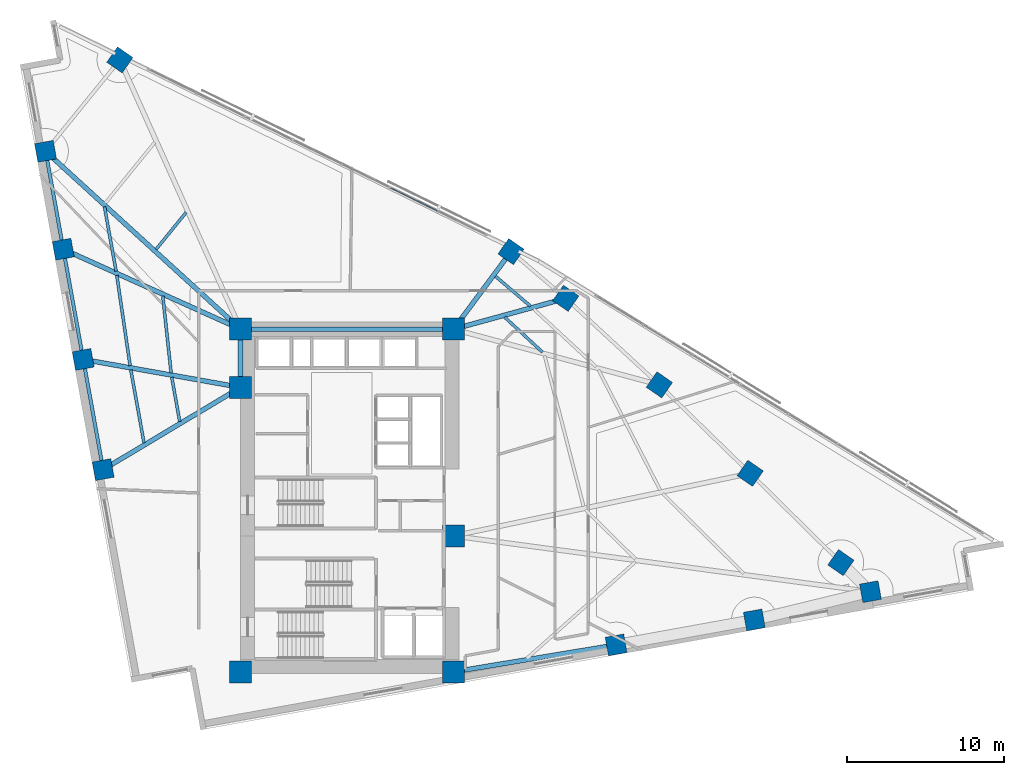
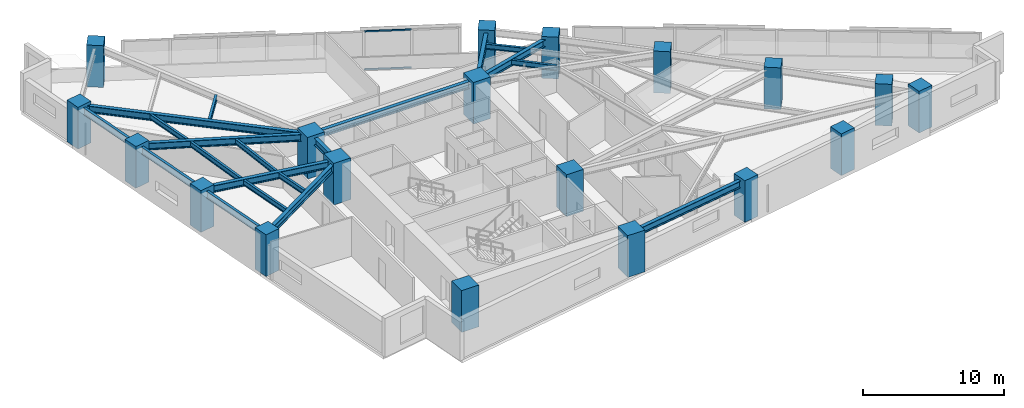
# One storey, part 1 of 19: 20 beams, 19 columns, 2 members, 1 element without a shape of its own.
"""IFC4 building model written with IfcOpenShell, lengths in metres."""

from ifc_helpers import new_model, si_unit, direction, frame, origin, origin_2d, place, context, subcontext, project, spatial, rectangle, hollow_rectangle, i_section, extrude, material, material_profile, profile_set, type_object, element, aggregate, save


model = new_model("IFC4")

# Units and contexts
model_context = context("Model", 3, precision=1e-05, world=origin(), true_north=direction((0.0, 1.0)))
body_context = subcontext(model_context, "Body", "Model", "MODEL_VIEW")
ifc_project = project(units=[si_unit("LENGTHUNIT", "METRE"), si_unit("AREAUNIT", "SQUARE_METRE"), si_unit("VOLUMEUNIT", "CUBIC_METRE"), si_unit("PLANEANGLEUNIT", "RADIAN"), si_unit("MASSUNIT", "GRAM", prefix="KILO")], contexts=[model_context])

# Site, building, storey
site_placement = place(None, origin())
site = spatial("IfcSite", under=ifc_project, at=site_placement, CompositionType="ELEMENT")
building_placement = place(site_placement, origin())
building = spatial("IfcBuilding", under=site, at=building_placement, Name="Narakoshi Arena Tower", CompositionType="ELEMENT")
storey_placement = place(building_placement, frame((0.0, 0.0, 117.300048828125)))
storey = spatial("IfcBuildingStorey", under=building, at=storey_placement, Name="L31", CompositionType="ELEMENT", Elevation=117.300048828125)

# Columns
ifc_material_1 = material(Name="Concrete C60/75", Category="concrete")
ifc_material_profile_1 = material_profile(ifc_material_1, rectangle(XDim=1.199951171875, YDim=1.199951171875, at=origin_2d()), Name="RC1200x1200")
ifc_profile_set_1 = profile_set([ifc_material_profile_1], Name="Concrete C60/75")
column_type_1 = type_object("IfcColumnType", Name="COL-RC1200", PredefinedType="COLUMN", material=ifc_profile_set_1)
for number, where, z_axis, x_axis, name in (
    (1, (95.89013671875, 36.411865234375, 0.0), (0.0, 0.0, 1.0), (0.984040697646, 0.177943545474, 0.0), "L31 Tower Perimeter Column TC02"),
    (2, (104.681396484375, 38.00146484375, 0.0), (0.0, 0.0, 1.0), (0.984040697646, 0.177943545474, 0.0), "L31 Tower Perimeter Column TC03"),
    (3, (112.0703125, 39.7978515625, 0.0), (0.0, 0.0, 1.0), (0.984040697646, 0.177943545474, 0.0), "L31 Tower Perimeter Column TC04"),
    (4, (110.189208984375, 41.650146484375, 0.0), (0.0, 0.0, 1.0), (0.569996762596, 0.821646937942, 0.0), "L31 Tower Perimeter Column TC05"),
    (5, (104.42041015625, 47.33056640625, 0.0), (0.0, 0.0, 1.0), (0.569996762596, 0.821646937942, 0.0), "L31 Tower Perimeter Column TC06"),
    (6, (98.641357421875, 52.95849609375, 0.0), (0.0, 0.0, 1.0), (0.569996762596, 0.821646937942, 0.0), "L31 Tower Perimeter Column TC07"),
    (7, (92.68994140625, 58.462890625, 0.0), (0.0, 0.0, 1.0), (0.569996762596, 0.821646937942, 0.0), "L31 Tower Perimeter Column TC08"),
    (8, (89.206787109375, 61.437744140625, 0.0), (0.0, 0.0, 1.0), (0.569996762596, 0.821646937942, 0.0), "L31 Tower Perimeter Column TC09"),
    (9, (64.31787109375, 73.633056640625, 0.0), (0.0, 0.0, 1.0), (0.569996762596, 0.821646937942, 0.0), "L31 Tower Perimeter Column TC11"),
    (10, (59.593505859375, 67.81591796875, 0.0), (0.0, 0.0, 1.0), (-0.177943545474, 0.984040697646, 0.0), "L31 Tower Perimeter Column TC13"),
    (11, (60.72021484375, 61.585205078125, 0.0), (0.0, 0.0, 1.0), (-0.177943545474, 0.984040697646, 0.0), "L31 Tower Perimeter Column TC14"),
    (12, (61.98779296875, 54.575439453125, 0.0), (0.0, 0.0, 1.0), (-0.177943545474, 0.984040697646, 0.0), "L31 Tower Perimeter Column TC15"),
    (13, (63.25537109375, 47.56591796875, 0.0), (0.0, 0.0, 1.0), (-0.177943545474, 0.984040697646, 0.0), "L31 Tower Perimeter Column TC16"),
):
    element("IfcColumn", number, at=place(storey_placement, frame(where, z_axis=z_axis, x_axis=x_axis)), inside=storey, type_object=column_type_1, Name=name, PredefinedType="COLUMN", context=body_context, shape_type="SweptSolid", body=[
        extrude(rectangle(XDim=1.199951171875, YDim=1.199951171875, at=origin_2d()), origin(), (0.0, 0.0, 1.0), 3.599853515625),
    ])
ifc_material_profile_2 = material_profile(ifc_material_1, rectangle(XDim=1.39990234375, YDim=1.39990234375, at=origin_2d()), Name="RC1400x1400")
ifc_profile_set_2 = profile_set([ifc_material_profile_2], Name="Concrete C60/75")
column_type_2 = type_object("IfcColumnType", Name="COL-RC1400", PredefinedType="COLUMN", material=ifc_profile_set_2)
for number, where, z_axis, x_axis, name in (
    (14, (72.0, 34.699951171875, 0.0), (0.0, 0.0, 1.0), (1.0, 0.0, 0.0), "L31 Core Structural Column CC1"),
    (15, (85.550048828125, 34.699951171875, 0.0), (0.0, 0.0, 1.0), (1.0, 0.0, 0.0), "L31 Core Structural Column CC2"),
    (16, (85.550048828125, 43.35009765625, 0.0), (0.0, 0.0, 1.0), (1.0, 0.0, 0.0), "L31 Core Structural Column CC3"),
    (17, (72.0, 52.800048828125, 0.0), (0.0, 0.0, 1.0), (1.0, 0.0, 0.0), "L31 Core Structural Column CC4"),
    (18, (72.0, 56.5, 0.0), (0.0, 0.0, 1.0), (1.0, 0.0, 0.0), "L31 Core Structural Column CC5"),
    (19, (85.550048828125, 56.5, 0.0), (0.0, 0.0, 1.0), (1.0, 0.0, 0.0), "L31 Core Structural Column CC6"),
):
    element("IfcColumn", number, at=place(storey_placement, frame(where, z_axis=z_axis, x_axis=x_axis)), inside=storey, type_object=column_type_2, Name=name, PredefinedType="COLUMN", context=body_context, shape_type="SweptSolid", body=[
        extrude(rectangle(XDim=1.39990234375, YDim=1.39990234375, at=origin_2d()), origin(), (0.0, 0.0, 1.0), 3.599853515625),
    ])

# Beams
ifc_material_2 = material(Name="Structural steel S355J2", Category="steel")
ifc_material_profile_3 = material_profile(ifc_material_2, i_section(OverallWidth=0.219970703125, OverallDepth=0.60009765625, WebThickness=0.011962890625, FlangeThickness=0.01904296875, FilletRadius=0.02392578125, at=origin_2d()), Name="IPE600")
ifc_profile_set_3 = profile_set([ifc_material_profile_3], Name="Structural steel S355J2")
beam_type_1 = type_object("IfcBeamType", Name="BM-EDGE-600", PredefinedType="BEAM", material=ifc_profile_set_3)
beam_1_placement = place(storey_placement, frame((59.593505859375, 67.81591796875, 3.0400390625), z_axis=(0.177945465207, -0.9840403505, 0.0), x_axis=(0.9840403505, 0.177945465207, 0.0)))
element("IfcBeam", 20, at=beam_1_placement, inside=storey, type_object=beam_type_1, Name="L31 Perimeter Edge Girder 10", PredefinedType="BEAM", context=body_context, shape_type="SweptSolid", body=[
    extrude(i_section(OverallWidth=0.219970703125, OverallDepth=0.60009765625, WebThickness=0.011962890625, FlangeThickness=0.01904296875, FilletRadius=0.02392578125, at=origin_2d()), origin(), (0.0, 0.0, 1.0), 6.331787109375),
])
beam_2_placement = place(storey_placement, frame((60.72021484375, 61.585205078125, 3.0400390625), z_axis=(0.177944362466, -0.98404054991, 0.0), x_axis=(0.98404054991, 0.177944362466, 0.0)))
element("IfcBeam", 21, at=beam_2_placement, inside=storey, type_object=beam_type_1, Name="L31 Perimeter Edge Girder 11", PredefinedType="BEAM", context=body_context, shape_type="SweptSolid", body=[
    extrude(i_section(OverallWidth=0.219970703125, OverallDepth=0.60009765625, WebThickness=0.011962890625, FlangeThickness=0.01904296875, FilletRadius=0.02392578125, at=origin_2d()), origin(), (0.0, 0.0, 1.0), 7.12353515625),
])
beam_3_placement = place(storey_placement, frame((61.98779296875, 54.575439453125, 3.0400390625), z_axis=(0.177950363985, -0.984039464634, 0.0), x_axis=(0.984039464634, 0.177950363985, 0.0)))
element("IfcBeam", 22, at=beam_3_placement, inside=storey, type_object=beam_type_1, Name="L31 Perimeter Edge Girder 12", PredefinedType="BEAM", context=body_context, shape_type="SweptSolid", body=[
    extrude(i_section(OverallWidth=0.219970703125, OverallDepth=0.60009765625, WebThickness=0.011962890625, FlangeThickness=0.01904296875, FilletRadius=0.02392578125, at=origin_2d()), origin(), (0.0, 0.0, 1.0), 7.123291015625),
])
ifc_material_profile_4 = material_profile(ifc_material_2, i_section(OverallWidth=0.300048828125, OverallDepth=0.60009765625, WebThickness=0.015380859375, FlangeThickness=0.030029296875, FilletRadius=0.027099609375, at=origin_2d()), Name="HE600B")
ifc_profile_set_4 = profile_set([ifc_material_profile_4], Name="Structural steel S355J2")
beam_type_2 = type_object("IfcBeamType", Name="BM-PRI-600", PredefinedType="BEAM", material=ifc_profile_set_4)
beam_4_placement = place(storey_placement, frame((85.550048828125, 34.699951171875, 3.0400390625), z_axis=(0.986570261116, 0.163337441762, 0.0), x_axis=(-0.163337441762, 0.986570261116, 0.0)))
element("IfcBeam", 23, at=beam_4_placement, inside=storey, type_object=beam_type_2, Name="L31 Radial Primary Floor Girder 01", PredefinedType="BEAM", context=body_context, shape_type="SweptSolid", body=[
    extrude(i_section(OverallWidth=0.300048828125, OverallDepth=0.60009765625, WebThickness=0.015380859375, FlangeThickness=0.030029296875, FilletRadius=0.027099609375, at=origin_2d()), origin(), (0.0, 0.0, 1.0), 10.48095703125),
])
beam_5_placement = place(storey_placement, frame((85.550048828125, 56.5, 3.0400390625), z_axis=(0.964225409977, 0.265083682551, 0.0), x_axis=(-0.265083682551, 0.964225409977, 0.0)))
element("IfcBeam", 24, at=beam_5_placement, inside=storey, type_object=beam_type_2, Name="L31 Radial Primary Floor Girder 07", PredefinedType="BEAM", context=body_context, shape_type="SweptSolid", body=[
    extrude(i_section(OverallWidth=0.300048828125, OverallDepth=0.60009765625, WebThickness=0.015380859375, FlangeThickness=0.030029296875, FilletRadius=0.027099609375, at=origin_2d()), origin(), (0.0, 0.0, 1.0), 7.40478515625),
])
beam_6_placement = place(storey_placement, frame((85.550048828125, 56.5, 3.0400390625), z_axis=(0.595138224279, 0.803623353321, 0.0), x_axis=(-0.803623353321, 0.595138224279, 0.0)))
element("IfcBeam", 25, at=beam_6_placement, inside=storey, type_object=beam_type_2, Name="L31 Radial Primary Floor Girder 08", PredefinedType="BEAM", context=body_context, shape_type="SweptSolid", body=[
    extrude(i_section(OverallWidth=0.300048828125, OverallDepth=0.60009765625, WebThickness=0.015380859375, FlangeThickness=0.030029296875, FilletRadius=0.027099609375, at=origin_2d()), origin(), (0.0, 0.0, 1.0), 6.144287109375),
])
beam_7_placement = place(storey_placement, frame((72.0, 56.5, 3.0400390625), z_axis=(-0.738833839277, 0.673887644893, 0.0), x_axis=(-0.673887644893, -0.738833839277, 0.0)))
element("IfcBeam", 26, at=beam_7_placement, inside=storey, type_object=beam_type_2, Name="L31 Radial Primary Floor Girder 10", PredefinedType="BEAM", context=body_context, shape_type="SweptSolid", body=[
    extrude(i_section(OverallWidth=0.300048828125, OverallDepth=0.60009765625, WebThickness=0.015380859375, FlangeThickness=0.030029296875, FilletRadius=0.027099609375, at=origin_2d()), origin(), (0.0, 0.0, 1.0), 16.7919921875),
])
beam_8_placement = place(storey_placement, frame((72.0, 56.5, 3.0400390625), z_axis=(-0.911639961566, 0.410989757142, 0.0), x_axis=(-0.410989757142, -0.911639961566, 0.0)))
element("IfcBeam", 27, at=beam_8_placement, inside=storey, type_object=beam_type_2, Name="L31 Radial Primary Floor Girder 11", PredefinedType="BEAM", context=body_context, shape_type="SweptSolid", body=[
    extrude(i_section(OverallWidth=0.300048828125, OverallDepth=0.60009765625, WebThickness=0.015380859375, FlangeThickness=0.030029296875, FilletRadius=0.027099609375, at=origin_2d()), origin(), (0.0, 0.0, 1.0), 12.373046875),
])
beam_9_placement = place(storey_placement, frame((72.0, 52.800048828125, 3.0400390625), z_axis=(-0.984639647685, 0.174598866568, 0.0), x_axis=(-0.174598866568, -0.984639647685, 0.0)))
element("IfcBeam", 28, at=beam_9_placement, inside=storey, type_object=beam_type_2, Name="L31 Radial Primary Floor Girder 12", PredefinedType="BEAM", context=body_context, shape_type="SweptSolid", body=[
    extrude(i_section(OverallWidth=0.300048828125, OverallDepth=0.60009765625, WebThickness=0.015380859375, FlangeThickness=0.030029296875, FilletRadius=0.027099609375, at=origin_2d()), origin(), (0.0, 0.0, 1.0), 10.16845703125),
])
beam_10_placement = place(storey_placement, frame((72.0, 52.800048828125, 3.0400390625), z_axis=(-0.858039895053, -0.513583039534, 0.0), x_axis=(0.513583039534, -0.858039895053, 0.0)))
element("IfcBeam", 29, at=beam_10_placement, inside=storey, type_object=beam_type_2, Name="L31 Radial Primary Floor Girder 13", PredefinedType="BEAM", context=body_context, shape_type="SweptSolid", body=[
    extrude(i_section(OverallWidth=0.300048828125, OverallDepth=0.60009765625, WebThickness=0.015380859375, FlangeThickness=0.030029296875, FilletRadius=0.027099609375, at=origin_2d()), origin(), (0.0, 0.0, 1.0), 10.19140625),
])
beam_11_placement = place(storey_placement, frame((72.0, 52.800048828125, 3.0400390625), z_axis=(0.0, 1.0, 0.0), x_axis=(-1.0, 0.0, 0.0)))
element("IfcBeam", 30, at=beam_11_placement, inside=storey, type_object=beam_type_2, Name="L31 Core Perimeter Frame Beam CC4-CC5", PredefinedType="BEAM", context=body_context, shape_type="SweptSolid", body=[
    extrude(i_section(OverallWidth=0.300048828125, OverallDepth=0.60009765625, WebThickness=0.015380859375, FlangeThickness=0.030029296875, FilletRadius=0.027099609375, at=origin_2d()), origin(), (0.0, 0.0, 1.0), 3.699951171875),
])
beam_12_placement = place(storey_placement, frame((72.0, 56.5, 3.0400390625), z_axis=(1.0, 0.0, 0.0), x_axis=(0.0, 1.0, 0.0)))
element("IfcBeam", 31, at=beam_12_placement, inside=storey, type_object=beam_type_2, Name="L31 Core Perimeter Frame Beam CC5-CC6", PredefinedType="BEAM", context=body_context, shape_type="SweptSolid", body=[
    extrude(i_section(OverallWidth=0.300048828125, OverallDepth=0.60009765625, WebThickness=0.015380859375, FlangeThickness=0.030029296875, FilletRadius=0.027099609375, at=origin_2d()), origin(), (0.0, 0.0, 1.0), 13.550048828125),
])
ifc_material_profile_5 = material_profile(ifc_material_2, i_section(OverallWidth=0.18994140625, OverallDepth=0.449951171875, WebThickness=0.009521484375, FlangeThickness=0.0146484375, FilletRadius=0.02099609375, at=origin_2d()), Name="IPE450")
ifc_profile_set_5 = profile_set([ifc_material_profile_5], Name="Structural steel S355J2")
beam_type_3 = type_object("IfcBeamType", Name="BM-SEC-450", PredefinedType="JOIST", material=ifc_profile_set_5)
beam_13_placement = place(storey_placement, frame((91.211181640625, 55.033447265625, 3.114990234375), z_axis=(-0.734152962366, 0.678984114578, 0.0), x_axis=(-0.678984114578, -0.734152962366, 0.0)))
element("IfcBeam", 32, at=beam_13_placement, inside=storey, type_object=beam_type_3, Name="L31 Composite Secondary Floor Joist 06", PredefinedType="JOIST", context=body_context, shape_type="SweptSolid", body=[
    extrude(i_section(OverallWidth=0.18994140625, OverallDepth=0.449951171875, WebThickness=0.009521484375, FlangeThickness=0.0146484375, FilletRadius=0.02099609375, at=origin_2d()), origin(), (0.0, 0.0, 1.0), 3.296875),
])
beam_14_placement = place(storey_placement, frame((90.4453125, 57.961669921875, 3.114990234375), z_axis=(-0.760382231872, 0.649475835927, 0.0), x_axis=(-0.649475835927, -0.760382231872, 0.0)))
element("IfcBeam", 33, at=beam_14_placement, inside=storey, type_object=beam_type_3, Name="L31 Composite Secondary Floor Joist 08", PredefinedType="JOIST", context=body_context, shape_type="SweptSolid", body=[
    extrude(i_section(OverallWidth=0.18994140625, OverallDepth=0.449951171875, WebThickness=0.009521484375, FlangeThickness=0.0146484375, FilletRadius=0.02099609375, at=origin_2d()), origin(), (0.0, 0.0, 1.0), 2.9365234375),
])
beam_15_placement = place(storey_placement, frame((68.53466796875, 63.93359375, 3.114990234375), z_axis=(-0.630431693458, -0.776244729376, 0.0), x_axis=(0.776244729376, -0.630431693458, 0.0)))
element("IfcBeam", 34, at=beam_15_placement, inside=storey, type_object=beam_type_3, Name="L31 Composite Secondary Floor Joist 09", PredefinedType="JOIST", context=body_context, shape_type="SweptSolid", body=[
    extrude(i_section(OverallWidth=0.18994140625, OverallDepth=0.449951171875, WebThickness=0.009521484375, FlangeThickness=0.0146484375, FilletRadius=0.02099609375, at=origin_2d()), origin(), (0.0, 0.0, 1.0), 3.027099609375),
])
beam_16_placement = place(storey_placement, frame((63.339599609375, 64.288330078125, 3.114990234375), z_axis=(0.177899481436, -0.984048664704, 0.0), x_axis=(0.984048664704, 0.177899481436, 0.0)))
element("IfcBeam", 35, at=beam_16_placement, inside=storey, type_object=beam_type_3, Name="L31 Composite Secondary Floor Joist 11", PredefinedType="JOIST", context=body_context, shape_type="SweptSolid", body=[
    extrude(i_section(OverallWidth=0.18994140625, OverallDepth=0.449951171875, WebThickness=0.009521484375, FlangeThickness=0.0146484375, FilletRadius=0.02099609375, at=origin_2d()), origin(), (0.0, 0.0, 1.0), 4.162353515625),
])
beam_17_placement = place(storey_placement, frame((67.051513671875, 58.603271484375, 3.114990234375), z_axis=(0.107509701648, -0.994204035423, 0.0), x_axis=(0.994204035423, 0.107509701648, 0.0)))
element("IfcBeam", 36, at=beam_17_placement, inside=storey, type_object=beam_type_3, Name="L31 Composite Secondary Floor Joist 12", PredefinedType="JOIST", context=body_context, shape_type="SweptSolid", body=[
    extrude(i_section(OverallWidth=0.18994140625, OverallDepth=0.449951171875, WebThickness=0.009521484375, FlangeThickness=0.0146484375, FilletRadius=0.02099609375, at=origin_2d()), origin(), (0.0, 0.0, 1.0), 4.91650390625),
])
beam_18_placement = place(storey_placement, frame((64.123779296875, 59.926025390625, 3.114990234375), z_axis=(0.145895495759, -0.989300007236, 0.0), x_axis=(0.989300007236, 0.145895495759, 0.0)))
element("IfcBeam", 37, at=beam_18_placement, inside=storey, type_object=beam_type_3, Name="L31 Composite Secondary Floor Joist 13", PredefinedType="JOIST", context=body_context, shape_type="SweptSolid", body=[
    extrude(i_section(OverallWidth=0.18994140625, OverallDepth=0.449951171875, WebThickness=0.009521484375, FlangeThickness=0.0146484375, FilletRadius=0.02099609375, at=origin_2d()), origin(), (0.0, 0.0, 1.0), 5.811767578125),
])
beam_19_placement = place(storey_placement, frame((67.61865234375, 53.448486328125, 3.114990234375), z_axis=(0.177970279924, -0.984035862895, 0.0), x_axis=(0.984035862895, 0.177970279924, 0.0)))
element("IfcBeam", 38, at=beam_19_placement, inside=storey, type_object=beam_type_3, Name="L31 Composite Secondary Floor Joist 14", PredefinedType="JOIST", context=body_context, shape_type="SweptSolid", body=[
    extrude(i_section(OverallWidth=0.18994140625, OverallDepth=0.449951171875, WebThickness=0.009521484375, FlangeThickness=0.0146484375, FilletRadius=0.02099609375, at=origin_2d()), origin(), (0.0, 0.0, 1.0), 2.8642578125),
])
beam_20_placement = place(storey_placement, frame((65.015380859375, 53.909912109375, 3.114990234375), z_axis=(0.177965200164, -0.984036781594, 0.0), x_axis=(0.984036781594, 0.177965200164, 0.0)))
element("IfcBeam", 39, at=beam_20_placement, inside=storey, type_object=beam_type_3, Name="L31 Composite Secondary Floor Joist 15", PredefinedType="JOIST", context=body_context, shape_type="SweptSolid", body=[
    extrude(i_section(OverallWidth=0.18994140625, OverallDepth=0.449951171875, WebThickness=0.009521484375, FlangeThickness=0.0146484375, FilletRadius=0.02099609375, at=origin_2d()), origin(), (0.0, 0.0, 1.0), 4.71630859375),
])

# Curtain wall, members
ifc_material_3 = material(Name="Anodised bronze aluminium 6063-T6", Category="aluminium")
curtain_wall_type = type_object("IfcCurtainWallType", Name="CW-HYP-LOW", PredefinedType="NOTDEFINED", material=ifc_material_3)
curtain_wall_placement = place(storey_placement, origin())
curtain_wall = element("IfcCurtainWall", 40, at=curtain_wall_placement, inside=storey, type_object=curtain_wall_type, Name="L31 Folded Hypotenuse Curtain Wall 2-1", PredefinedType="NOTDEFINED")
ifc_material_profile_6 = material_profile(ifc_material_3, hollow_rectangle(XDim=0.06494140625, YDim=0.1298828125, WallThickness=0.00390625, OuterFilletRadius=0.0048828125, at=origin_2d()), Name="TRN130x65x4")
ifc_profile_set_6 = profile_set([ifc_material_profile_6], Name="Anodised bronze aluminium 6063-T6")
member_type = type_object("IfcMemberType", Name="MEM-TRN-130", PredefinedType="USERDEFINED", material=ifc_profile_set_6)
member_1_placement = place(storey_placement, frame((84.525634765625, 64.02099609375, 0.032470703125), z_axis=(-0.897986843255, 0.440022305503, 0.0), x_axis=(-0.440022305503, -0.897986843255, 0.0)))
member_1 = element("IfcMember", 41, at=member_1_placement, type_object=member_type, Name="CW-01 transom 2.1", ObjectType="TRANSOM", PredefinedType="USERDEFINED", context=body_context, shape_type="SweptSolid", body=[
    extrude(hollow_rectangle(XDim=0.06494140625, YDim=0.1298828125, WallThickness=0.00390625, OuterFilletRadius=0.0048828125, at=origin_2d()), origin(), (0.0, 0.0, 1.0), 3.347412109375),
])
member_2_placement = place(storey_placement, frame((84.525634765625, 64.02099609375, 3.307373046875), z_axis=(-0.897986843255, 0.440022305503, 0.0), x_axis=(-0.440022305503, -0.897986843255, 0.0)))
member_2 = element("IfcMember", 42, at=member_2_placement, type_object=member_type, Name="CW-01 transom 2.2", ObjectType="TRANSOM", PredefinedType="USERDEFINED", context=body_context, shape_type="SweptSolid", body=[
    extrude(hollow_rectangle(XDim=0.06494140625, YDim=0.1298828125, WallThickness=0.00390625, OuterFilletRadius=0.0048828125, at=origin_2d()), origin(), (0.0, 0.0, 1.0), 3.347412109375),
])
aggregate(curtain_wall, [member_1, member_2])

save(model, "model.ifc")
